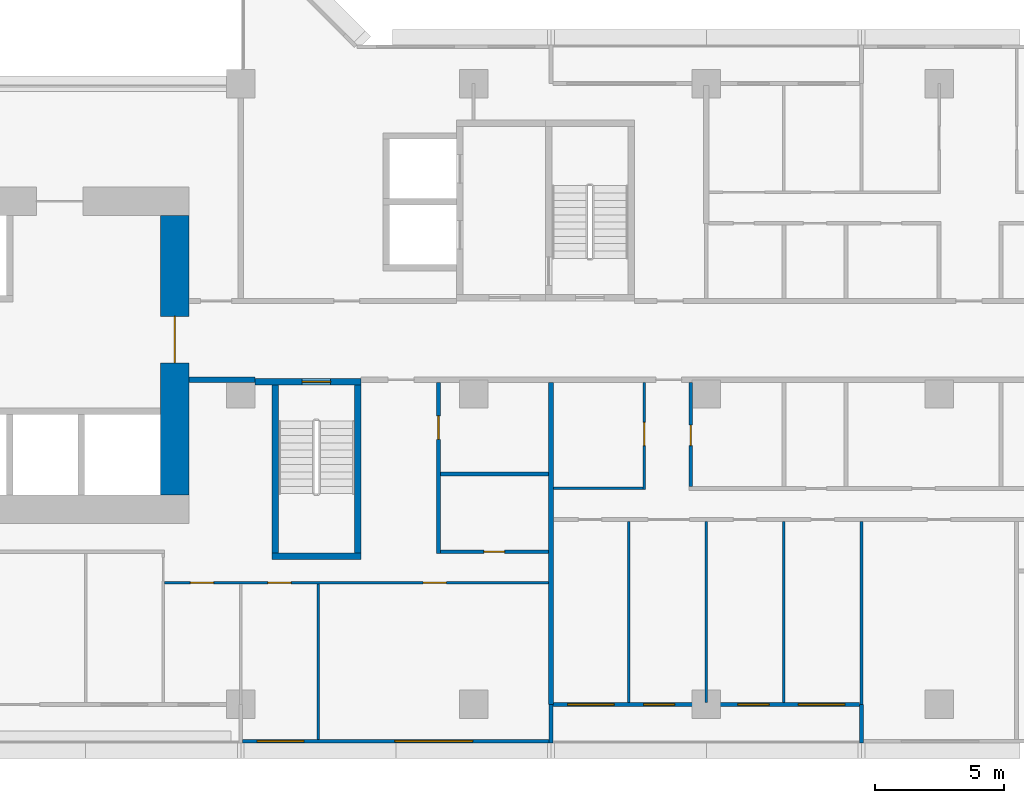
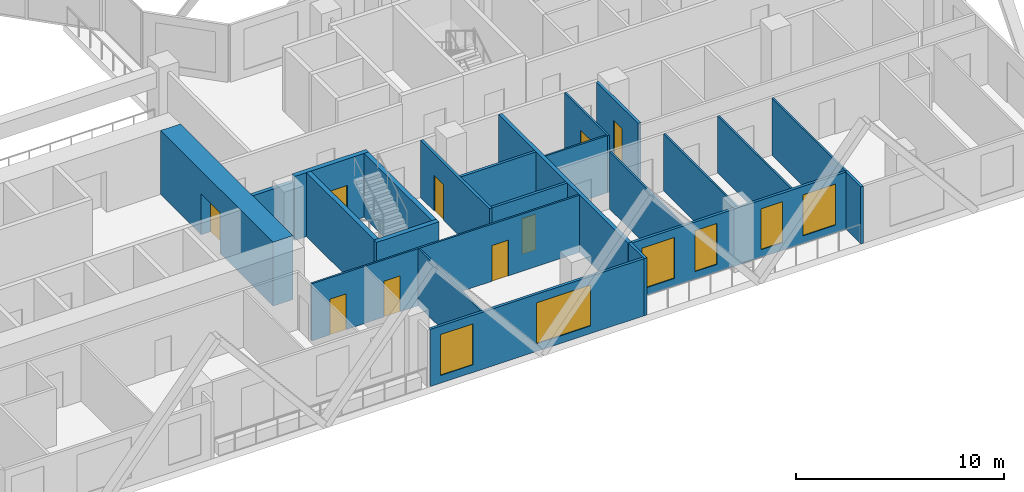
# One storey, part 6 of 16: 23 walls, 9 doors, 6 windows, 15 openings.
"""IFC4 building model written with IfcOpenShell, lengths in metres."""

import ifcopenshell
import ifcopenshell.guid

model = None  # the IFC model being written
_history = None  # IfcOwnerHistory: only IFC2X3 demands one
_inside = {}  # id of a spatial element -> (the spatial element, [elements in it])
_under = {}  # id of a project, library or spatial element -> (it, [spatial elements below it])
_declared = {}  # id of a project -> (the project, [libraries it declares])
_typed = {}  # id of a type object -> (the type object, [elements of that type])
_made_of = {}  # id of a material, layer set ... -> (it, [elements and type objects made of it])


def new_model(schema):
    """Start an empty IFC model of exactly this schema.

    Asked for "IFC4X3", IfcOpenShell would pick the latest addendum, in which some entities
    have other attributes; the version numbers below select the first issue.
    IFC2X3 requires an IfcOwnerHistory on every rooted entity: one is made here for all.
    """
    global model, _history
    if schema == "IFC4X3":
        model = ifcopenshell.file(schema_version=(4, 3, 0, 0))
    else:
        model = ifcopenshell.file(schema=schema)
    _inside.clear()
    _under.clear()
    _declared.clear()
    _typed.clear()
    _made_of.clear()
    _history = None
    if model.schema == "IFC2X3":
        org = make("IfcOrganization", Name="unknown")
        user = make(
            "IfcPersonAndOrganization",
            ThePerson=make("IfcPerson", FamilyName="unknown"),
            TheOrganization=org,
        )
        app = make(
            "IfcApplication",
            ApplicationDeveloper=org,
            Version="unknown",
            ApplicationFullName="unknown",
            ApplicationIdentifier="unknown",
        )
        _history = make(
            "IfcOwnerHistory",
            OwningUser=user,
            OwningApplication=app,
            ChangeAction="ADDED",
            CreationDate=0,
        )
    return model


def make(cls, **values):
    """One entity of the class cls with the attributes given. An attribute that is None is left unset."""
    return model.create_entity(
        cls, **{name: value for name, value in values.items() if value is not None}
    )


def rooted(cls, **values):
    """An entity with a GlobalId (a new one), such as an element, a storey or a relation."""
    return make(cls, GlobalId=ifcopenshell.guid.new(), OwnerHistory=_history, **values)


def si_unit(unit_type, name, prefix=None):
    """IfcSIUnit, for example si_unit("LENGTHUNIT", "METRE", prefix="MILLI")."""
    return make("IfcSIUnit", UnitType=unit_type, Prefix=prefix, Name=name)


def assignment(units):
    """IfcUnitAssignment: the units of a project."""
    return None if units is None else make("IfcUnitAssignment", Units=units)


def point(xyz):
    """IfcCartesianPoint."""
    return None if xyz is None else make("IfcCartesianPoint", Coordinates=xyz)


def direction(xyz):
    """IfcDirection."""
    return None if xyz is None else make("IfcDirection", DirectionRatios=xyz)


def frame(location, z_axis=None, x_axis=None):
    """IfcAxis2Placement3D, a coordinate frame: its origin and axes. An axis left out is left unset."""
    return make(
        "IfcAxis2Placement3D",
        Location=point(location),
        Axis=direction(z_axis),
        RefDirection=direction(x_axis),
    )


def frame_2d(location, x_axis=None):
    """IfcAxis2Placement2D, a coordinate frame in the plane: its origin and x axis."""
    return make(
        "IfcAxis2Placement2D", Location=point(location), RefDirection=direction(x_axis)
    )


def origin():
    """The frame at (0, 0, 0) with its axes left unset."""
    return frame((0.0, 0.0, 0.0))


def place(relative_to, where):
    """IfcLocalPlacement: puts the frame where relative to a parent placement (None: the world)."""
    return make(
        "IfcLocalPlacement", PlacementRelTo=relative_to, RelativePlacement=where
    )


def context(
    kind, dimensions, precision=None, world=None, true_north=None, identifier=None
):
    """IfcGeometricRepresentationContext, for example the 3D "Model" context."""
    return make(
        "IfcGeometricRepresentationContext",
        ContextIdentifier=identifier,
        ContextType=kind,
        CoordinateSpaceDimension=dimensions,
        Precision=precision,
        WorldCoordinateSystem=world,
        TrueNorth=true_north,
    )


def subcontext(parent, identifier, kind, view, scale=None):
    """IfcGeometricRepresentationSubContext, for example "Body" below "Model"."""
    return make(
        "IfcGeometricRepresentationSubContext",
        ContextIdentifier=identifier,
        ContextType=kind,
        ParentContext=parent,
        TargetScale=scale,
        TargetView=view,
    )


def project(units=None, contexts=None):
    """IfcProject with its units and contexts."""
    return rooted(
        "IfcProject",
        Name="project",
        RepresentationContexts=contexts,
        UnitsInContext=assignment(units),
    )


def spatial(cls, under=None, at=None, **own):
    """A site, building, storey or space (cls), placed at a placement, below another one or the project."""
    s = rooted(cls, ObjectPlacement=at, **own)
    if under is not None:
        _under.setdefault(under.id(), (under, []))[1].append(s)
    return s


def profile(cls, at=None, kind="AREA", **sizes):
    """A parametric profile (cls). Its sizes go by their IFC names, for example OverallWidth=200.0."""
    return make(cls, ProfileType=kind, Position=at, **sizes)


def rectangle(**sizes):
    """IfcRectangleProfileDef."""
    return profile("IfcRectangleProfileDef", **sizes)


def extrude(swept, where, along, depth):
    """IfcExtrudedAreaSolid: the profile swept, set in the frame where, extruded along a direction by depth."""
    return make(
        "IfcExtrudedAreaSolid",
        SweptArea=swept,
        Position=where,
        ExtrudedDirection=direction(along),
        Depth=depth,
    )


def shape(context_of_items, identifier, shape_type, items):
    """IfcShapeRepresentation: the items that make up one representation, for example the "Body"."""
    return make(
        "IfcShapeRepresentation",
        ContextOfItems=context_of_items,
        RepresentationIdentifier=identifier,
        RepresentationType=shape_type,
        Items=items,
    )


def material(Name=None, Category=None):
    """IfcMaterial."""
    return make("IfcMaterial", Name=Name, Category=Category)


def layer(
    of_material, thickness, ventilated=None, Name=None, Category=None, Priority=None
):
    """IfcMaterialLayer: one layer of a wall or slab, of a material (None: an air gap)."""
    return make(
        "IfcMaterialLayer",
        Material=of_material,
        LayerThickness=thickness,
        IsVentilated=ventilated,
        Name=Name,
        Category=Category,
        Priority=Priority,
    )


def layer_set(layers, Name=None):
    """IfcMaterialLayerSet."""
    return make("IfcMaterialLayerSet", MaterialLayers=layers, LayerSetName=Name)


def made_of(thing, what):
    """Note that an element or type object is made of a material, layer set ...; save() writes the relation."""
    if what is not None:
        _made_of.setdefault(what.id(), (what, []))[1].append(thing)
    return thing


def type_object(cls, material=None, **own):
    """A type object (cls), such as IfcWallType, which elements share."""
    return made_of(rooted(cls, **own), material)


def element(
    cls,
    number,
    at=None,
    inside=None,
    cuts=None,
    type_object=None,
    material=None,
    context=None,
    identifier="Body",
    shape_type=None,
    held_by="IfcProductDefinitionShape",
    body=None,
    shapes=None,
    **own,
):
    """One element of the class cls, such as IfcWall. Its Tag is "e" and its number.

    at: its placement. inside: the storey or other place that contains it. cuts: it is an
    opening in that element (IfcRelVoidsElement). A single representation is given by context,
    identifier, shape_type and body (its items); several are given by shapes. held_by: the class
    of the entity that holds the representations. save() writes the other relations.
    """
    e = rooted(cls, Tag="e%d" % number, ObjectPlacement=at, **own)
    if body is not None:
        shapes = [shape(context, identifier, shape_type, body)]
    if shapes is not None:
        e.Representation = make(held_by, Representations=shapes)
    if inside is not None:
        _inside.setdefault(inside.id(), (inside, []))[1].append(e)
    if cuts is not None:
        rooted(
            "IfcRelVoidsElement", RelatingBuildingElement=cuts, RelatedOpeningElement=e
        )
    if type_object is not None:
        _typed.setdefault(type_object.id(), (type_object, []))[1].append(e)
    return made_of(e, material)


def fill(opening, filler):
    """IfcRelFillsElement: the door or window that sits in an opening."""
    return rooted(
        "IfcRelFillsElement",
        RelatingOpeningElement=opening,
        RelatedBuildingElement=filler,
    )


def aggregate(whole, parts):
    """IfcRelAggregates: a whole, such as a stair, and the parts it consists of."""
    return rooted("IfcRelAggregates", RelatingObject=whole, RelatedObjects=parts)


def save(model, path):
    """Write the relations noted so far, then the file.

    IfcRelAggregates (storeys below a building ...), IfcRelContainedInSpatialStructure (elements
    in a storey), IfcRelDefinesByType, IfcRelAssociatesMaterial and IfcRelDeclares: one each for
    every whole, place, type object, material and project.
    """
    for whole, parts in _under.values():
        aggregate(whole, parts)
    for where, things in _inside.values():
        rooted(
            "IfcRelContainedInSpatialStructure",
            RelatedElements=things,
            RelatingStructure=where,
        )
    for kind, things in _typed.values():
        rooted("IfcRelDefinesByType", RelatedObjects=things, RelatingType=kind)
    for what, things in _made_of.values():
        rooted("IfcRelAssociatesMaterial", RelatedObjects=things, RelatingMaterial=what)
    for by, libraries in _declared.values():
        rooted("IfcRelDeclares", RelatingContext=by, RelatedDefinitions=libraries)
    model.write(path)


model = new_model("IFC4")

# Units and contexts
model_context = context("Model", 3, precision=1e-05, world=origin(), true_north=direction((0.0, 1.0)))
body_context = subcontext(model_context, "Body", "Model", "MODEL_VIEW")
ifc_project = project(units=[si_unit("LENGTHUNIT", "METRE"), si_unit("AREAUNIT", "SQUARE_METRE"), si_unit("VOLUMEUNIT", "CUBIC_METRE"), si_unit("PLANEANGLEUNIT", "RADIAN"), si_unit("MASSUNIT", "GRAM", prefix="KILO")], contexts=[model_context])

# Site, building, storey
site_placement = place(None, origin())
site = spatial("IfcSite", under=ifc_project, at=site_placement, CompositionType="ELEMENT")
building_placement = place(site_placement, origin())
building = spatial("IfcBuilding", under=site, at=building_placement, Name="Chenar Terraces", CompositionType="ELEMENT")
storey_placement = place(building_placement, frame((0.0, 0.0, 78.89990234375)))
storey = spatial("IfcBuildingStorey", under=building, at=storey_placement, Name="L17", CompositionType="ELEMENT", Elevation=78.89990234375)

# Wall, opening, door
ifc_material_1 = material(Name="Concrete C70/85", Category="concrete")
ifc_layer_1 = layer(ifc_material_1, 1.10009765625)
ifc_layer_set_1 = layer_set([ifc_layer_1], Name="Concrete C70/85")
wall_type_1 = type_object("IfcWallType", Name="Core wall 1100 Concrete C70/85", PredefinedType="SHEAR", material=ifc_layer_set_1)
wall_1_placement = place(storey_placement, frame((33.449951171875, 8.10009765625, 0.0), z_axis=(0.0, 0.0, 1.0), x_axis=(0.0, 1.0, 0.0)))
wall_1 = element("IfcWall", 1, at=wall_1_placement, inside=storey, type_object=wall_type_1, Name="Core wall E L17", PredefinedType="SHEAR", context=body_context, shape_type="SweptSolid", body=[
    extrude(rectangle(XDim=10.7998046875, YDim=1.10009765625, at=frame_2d((5.39990234375, 0.0))), origin(), (0.0, 0.0, 1.0), 3.75),
])
opening_1_placement = place(wall_1_placement, frame((5.10009765625, 0.0, 0.0)))
opening_1 = element("IfcOpeningElement", 2, at=opening_1_placement, cuts=wall_1, Name="Opening DL17-C1", PredefinedType="OPENING", context=body_context, shape_type="SweptSolid", body=[
    extrude(rectangle(XDim=1.800048828125, YDim=2.39990234375, at=frame_2d((0.89990234375, 1.199951171875))), frame((0.0, 0.56005859375, 0.0), z_axis=(0.0, -1.0, 0.0), x_axis=(1.0, 0.0, 0.0)), (0.0, 0.0, 1.0), 1.1201171875),
])
ifc_material_2 = material(Name="Steel-framed fire-resisting door leaf", Category="steel")
door_type_1 = type_object("IfcDoorType", Name="Core entrance double fire door FD60 1800 x 2400", OperationType="DOUBLE_DOOR_SINGLE_SWING", PredefinedType="DOOR", material=ifc_material_2)
door_1_placement = place(opening_1_placement, origin())
door_1 = element("IfcDoor", 3, at=door_1_placement, inside=storey, type_object=door_type_1, Name="Core door DL17-C1", OperationType="DOUBLE_DOOR_SINGLE_SWING", OverallHeight=2.39990234375, OverallWidth=1.800048828125, PredefinedType="DOOR", context=body_context, shape_type="SweptSolid", body=[
    extrude(rectangle(XDim=1.800048828125, YDim=2.39990234375, at=frame_2d((0.89990234375, 1.199951171875))), frame((0.0, 0.02490234375, 0.0), z_axis=(0.0, -1.0, 0.0), x_axis=(1.0, 0.0, 0.0)), (0.0, 0.0, 1.0), 0.050048828125),
])
fill(opening_1, door_1)

# Wall
ifc_material_3 = material(Name="Concrete C70/85", Category="concrete")
ifc_layer_2 = layer(ifc_material_3, 0.25)
ifc_layer_set_2 = layer_set([ifc_layer_2], Name="Concrete C70/85")
wall_type_2 = type_object("IfcWallType", Name="Core wall 250 Concrete C70/85", PredefinedType="SHEAR", material=ifc_layer_set_2)
wall_2_placement = place(storey_placement, frame((37.199951171875, 5.72509765625, 0.0), z_axis=(0.0, 0.0, 1.0), x_axis=(1.0, 0.0, 0.0)))
element("IfcWall", 4, at=wall_2_placement, inside=storey, type_object=wall_type_2, Name="Core wall ST2_S L17", PredefinedType="SHEAR", context=body_context, shape_type="SweptSolid", body=[
    extrude(rectangle(XDim=3.449951171875, YDim=0.25, at=frame_2d((1.72509765625, 0.0))), origin(), (0.0, 0.0, 1.0), 3.75),
])

# Wall, opening, door
wall_3_placement = place(storey_placement, frame((36.550048828125, 12.47509765625, 0.0), z_axis=(0.0, 0.0, 1.0), x_axis=(1.0, 0.0, 0.0)))
wall_3 = element("IfcWall", 5, at=wall_3_placement, inside=storey, type_object=wall_type_2, Name="Core wall ST2_N L17", PredefinedType="SHEAR", context=body_context, shape_type="SweptSolid", body=[
    extrude(rectangle(XDim=4.099853515625, YDim=0.25, at=frame_2d((2.0498046875, 0.0))), origin(), (0.0, 0.0, 1.0), 3.75),
])
opening_2_placement = place(wall_3_placement, frame((1.824951171875, 0.0, 0.0)))
opening_2 = element("IfcOpeningElement", 6, at=opening_2_placement, cuts=wall_3, Name="Opening DL17-C7", PredefinedType="OPENING", context=body_context, shape_type="SweptSolid", body=[
    extrude(rectangle(XDim=1.10009765625, YDim=2.199951171875, at=frame_2d((0.550048828125, 1.10009765625))), frame((0.0, 0.135009765625, 0.0), z_axis=(0.0, -1.0, 0.0), x_axis=(1.0, 0.0, 0.0)), (0.0, 0.0, 1.0), 0.27001953125),
])
ifc_material_4 = material(Name="Steel-framed fire-resisting door leaf", Category="steel")
door_type_2 = type_object("IfcDoorType", Name="Stair fire door FD60 1100 x 2200", OperationType="SINGLE_SWING_LEFT", PredefinedType="DOOR", material=ifc_material_4)
door_2_placement = place(opening_2_placement, frame((1.10009765625, 0.0, 0.0), z_axis=(0.0, 0.0, 1.0), x_axis=(-1.0, 0.0, 0.0)))
door_2 = element("IfcDoor", 7, at=door_2_placement, inside=storey, type_object=door_type_2, Name="Stair door DL17-C7", OperationType="SINGLE_SWING_LEFT", OverallHeight=2.199951171875, OverallWidth=1.10009765625, PredefinedType="DOOR", context=body_context, shape_type="SweptSolid", body=[
    extrude(rectangle(XDim=1.10009765625, YDim=2.199951171875, at=frame_2d((0.550048828125, 1.10009765625))), frame((0.0, 0.02490234375, 0.0), z_axis=(0.0, -1.0, 0.0), x_axis=(1.0, 0.0, 0.0)), (0.0, 0.0, 1.0), 0.050048828125),
])
fill(opening_2, door_2)

# Walls
for number, where, z_axis, x_axis, name in (
    (8, (37.324951171875, 5.85009765625, 0.0), (0.0, 0.0, 1.0), (0.0, 1.0, 0.0), "Core wall ST2_W L17"),
    (9, (40.52490234375, 5.85009765625, 0.0), (0.0, 0.0, 1.0), (0.0, 1.0, 0.0), "Core wall ST2_E L17"),
):
    element("IfcWall", number, at=place(storey_placement, frame(where, z_axis=z_axis, x_axis=x_axis)), inside=storey, type_object=wall_type_2, Name=name, PredefinedType="SHEAR", context=body_context, shape_type="SweptSolid", body=[
        extrude(rectangle(XDim=6.5, YDim=0.25, at=frame_2d((3.25, 0.0))), origin(), (0.0, 0.0, 1.0), 3.75),
    ])
ifc_material_5 = material(Name="Gypsum board on steel studs with fire boards", Category="steel")
ifc_layer_3 = layer(ifc_material_5, 0.199951171875)
ifc_layer_set_3 = layer_set([ifc_layer_3], Name="Gypsum board on steel studs with fire boards")
wall_type_3 = type_object("IfcWallType", Name="Corridor wall 200", PredefinedType="PARTITIONING", material=ifc_layer_set_3)
wall_4_placement = place(storey_placement, frame((34.0, 12.550048828125, 0.0), z_axis=(0.0, 0.0, 1.0), x_axis=(1.0, 0.0, 0.0)))
element("IfcWall", 10, at=wall_4_placement, inside=storey, type_object=wall_type_3, Name="Partition L17-062", PredefinedType="PARTITIONING", context=body_context, shape_type="SweptSolid", body=[
    extrude(rectangle(XDim=2.551025390625, YDim=0.199951171875, at=frame_2d((1.275390625, 0.0))), origin(), (0.0, 0.0, 1.0), 3.35009765625),
])

# Wall, openings, windows
ifc_material_6 = material(Name="Aluminium framed glazing", Category="aluminium")
ifc_layer_4 = layer(ifc_material_6, 0.14990234375)
ifc_layer_set_4 = layer_set([ifc_layer_4], Name="Aluminium framed glazing")
wall_type_4 = type_object("IfcWallType", Name="Glazed flush facade wall 150", PredefinedType="SOLIDWALL", material=ifc_layer_set_4)
wall_5_placement = place(storey_placement, frame((36.074951171875, -1.425048828125, 0.0), z_axis=(0.0, 0.0, 1.0), x_axis=(1.0, 0.0, 0.0)))
wall_5 = element("IfcWall", 11, at=wall_5_placement, inside=storey, type_object=wall_type_4, Name="Glazed flush facade wall", PredefinedType="SOLIDWALL", context=body_context, shape_type="SweptSolid", body=[
    extrude(rectangle(XDim=11.85009765625, YDim=0.14990234375, at=frame_2d((5.925048828125, 0.0))), origin(), (0.0, 0.0, 1.0), 3.35009765625),
])
opening_3_placement = place(wall_5_placement, frame((0.5625, 0.0, 0.449951171875)))
opening_3 = element("IfcOpeningElement", 12, at=opening_3_placement, cuts=wall_5, Name="Opening W180x240", PredefinedType="OPENING", context=body_context, shape_type="SweptSolid", body=[
    extrude(rectangle(XDim=1.800048828125, YDim=2.39990234375, at=frame_2d((0.89990234375, 1.199951171875))), frame((0.0, 0.0849609375, 0.0), z_axis=(0.0, -1.0, 0.0), x_axis=(1.0, 0.0, 0.0)), (0.0, 0.0, 1.0), 0.169921875),
])
opening_4_placement = place(wall_5_placement, frame((5.887451171875, 0.0, 0.449951171875)))
opening_4 = element("IfcOpeningElement", 13, at=opening_4_placement, cuts=wall_5, Name="Opening W300x240", PredefinedType="OPENING", context=body_context, shape_type="SweptSolid", body=[
    extrude(rectangle(XDim=3.0, YDim=2.39990234375, at=frame_2d((1.5, 1.199951171875))), frame((0.0, 0.0849609375, 0.0), z_axis=(0.0, -1.0, 0.0), x_axis=(1.0, 0.0, 0.0)), (0.0, 0.0, 1.0), 0.169921875),
])
ifc_material_7 = material(Name="Low emissivity double glazing, aluminium frame", Category="aluminium")
window_type_1 = type_object("IfcWindowType", Name="Fixed light 1800 x 2400", PartitioningType="SINGLE_PANEL", PredefinedType="WINDOW", material=ifc_material_7)
window_1_placement = place(opening_3_placement, origin())
window_1 = element("IfcWindow", 14, at=window_1_placement, inside=storey, type_object=window_type_1, Name="Window", OverallHeight=2.39990234375, OverallWidth=1.800048828125, PartitioningType="SINGLE_PANEL", PredefinedType="WINDOW", context=body_context, shape_type="SweptSolid", body=[
    extrude(rectangle(XDim=1.800048828125, YDim=2.39990234375, at=frame_2d((0.89990234375, 1.199951171875))), frame((0.0, 0.030029296875, 0.0), z_axis=(0.0, -1.0, 0.0), x_axis=(1.0, 0.0, 0.0)), (0.0, 0.0, 1.0), 0.06005859375),
])
fill(opening_3, window_1)
ifc_material_8 = material(Name="Low emissivity double glazing, aluminium frame", Category="aluminium")
window_type_2 = type_object("IfcWindowType", Name="Fixed light 3000 x 2400", PartitioningType="SINGLE_PANEL", PredefinedType="WINDOW", material=ifc_material_8)
window_2_placement = place(opening_4_placement, origin())
window_2 = element("IfcWindow", 15, at=window_2_placement, inside=storey, type_object=window_type_2, Name="Window", OverallHeight=2.39990234375, OverallWidth=3.0, PartitioningType="SINGLE_PANEL", PredefinedType="WINDOW", context=body_context, shape_type="SweptSolid", body=[
    extrude(rectangle(XDim=3.0, YDim=2.39990234375, at=frame_2d((1.5, 1.199951171875))), frame((0.0, 0.030029296875, 0.0), z_axis=(0.0, -1.0, 0.0), x_axis=(1.0, 0.0, 0.0)), (0.0, 0.0, 1.0), 0.06005859375),
])
fill(opening_4, window_2)

ifc_material_9 = material(Name="Aluminium framed glazing", Category="aluminium")
ifc_layer_5 = layer(ifc_material_9, 0.14990234375)
ifc_layer_set_5 = layer_set([ifc_layer_5], Name="Aluminium framed glazing")
wall_type_5 = type_object("IfcWallType", Name="Glazed loggia back wall 150", PredefinedType="SOLIDWALL", material=ifc_layer_set_5)
wall_6_placement = place(storey_placement, frame((48.074951171875, 0.0, 0.0), z_axis=(0.0, 0.0, 1.0), x_axis=(1.0, 0.0, 0.0)))
wall_6 = element("IfcWall", 16, at=wall_6_placement, inside=storey, type_object=wall_type_5, Name="Glazed loggia back wall", PredefinedType="SOLIDWALL", context=body_context, shape_type="SweptSolid", body=[
    extrude(rectangle(XDim=11.85009765625, YDim=0.14990234375, at=frame_2d((5.925048828125, 0.0))), origin(), (0.0, 0.0, 1.0), 3.35009765625),
])
opening_5_placement = place(wall_6_placement, frame((0.5625, 0.0, 0.449951171875)))
opening_5 = element("IfcOpeningElement", 17, at=opening_5_placement, cuts=wall_6, Name="Opening W180x240", PredefinedType="OPENING", context=body_context, shape_type="SweptSolid", body=[
    extrude(rectangle(XDim=1.800048828125, YDim=2.39990234375, at=frame_2d((0.89990234375, 1.199951171875))), frame((0.0, 0.0849609375, 0.0), z_axis=(0.0, -1.0, 0.0), x_axis=(1.0, 0.0, 0.0)), (0.0, 0.0, 1.0), 0.169921875),
])
opening_6_placement = place(wall_6_placement, frame((3.5, 0.0, 0.449951171875)))
opening_6 = element("IfcOpeningElement", 18, at=opening_6_placement, cuts=wall_6, Name="Opening W120x240", PredefinedType="OPENING", context=body_context, shape_type="SweptSolid", body=[
    extrude(rectangle(XDim=1.199951171875, YDim=2.39990234375, at=frame_2d((0.60009765625, 1.199951171875))), frame((0.0, 0.0849609375, 0.0), z_axis=(0.0, -1.0, 0.0), x_axis=(1.0, 0.0, 0.0)), (0.0, 0.0, 1.0), 0.169921875),
])
opening_7_placement = place(wall_6_placement, frame((7.14990234375, 0.0, 0.449951171875)))
opening_7 = element("IfcOpeningElement", 19, at=opening_7_placement, cuts=wall_6, Name="Opening W120x240", PredefinedType="OPENING", context=body_context, shape_type="SweptSolid", body=[
    extrude(rectangle(XDim=1.199951171875, YDim=2.39990234375, at=frame_2d((0.60009765625, 1.199951171875))), frame((0.0, 0.0849609375, 0.0), z_axis=(0.0, -1.0, 0.0), x_axis=(1.0, 0.0, 0.0)), (0.0, 0.0, 1.0), 0.169921875),
])
opening_8_placement = place(wall_6_placement, frame((9.487548828125, 0.0, 0.449951171875)))
opening_8 = element("IfcOpeningElement", 20, at=opening_8_placement, cuts=wall_6, Name="Opening W180x240", PredefinedType="OPENING", context=body_context, shape_type="SweptSolid", body=[
    extrude(rectangle(XDim=1.800048828125, YDim=2.39990234375, at=frame_2d((0.89990234375, 1.199951171875))), frame((0.0, 0.0849609375, 0.0), z_axis=(0.0, -1.0, 0.0), x_axis=(1.0, 0.0, 0.0)), (0.0, 0.0, 1.0), 0.169921875),
])
ifc_material_10 = material(Name="Low emissivity double glazing, aluminium frame", Category="aluminium")
window_type_3 = type_object("IfcWindowType", Name="Fixed light 1200 x 2400", PartitioningType="SINGLE_PANEL", PredefinedType="WINDOW", material=ifc_material_10)
window_3_placement = place(opening_6_placement, origin())
window_3 = element("IfcWindow", 21, at=window_3_placement, inside=storey, type_object=window_type_3, Name="Window", OverallHeight=2.39990234375, OverallWidth=1.199951171875, PartitioningType="SINGLE_PANEL", PredefinedType="WINDOW", context=body_context, shape_type="SweptSolid", body=[
    extrude(rectangle(XDim=1.199951171875, YDim=2.39990234375, at=frame_2d((0.60009765625, 1.199951171875))), frame((0.0, 0.030029296875, 0.0), z_axis=(0.0, -1.0, 0.0), x_axis=(1.0, 0.0, 0.0)), (0.0, 0.0, 1.0), 0.06005859375),
])
fill(opening_6, window_3)
window_4_placement = place(opening_7_placement, origin())
window_4 = element("IfcWindow", 22, at=window_4_placement, inside=storey, type_object=window_type_3, Name="Window", OverallHeight=2.39990234375, OverallWidth=1.199951171875, PartitioningType="SINGLE_PANEL", PredefinedType="WINDOW", context=body_context, shape_type="SweptSolid", body=[
    extrude(rectangle(XDim=1.199951171875, YDim=2.39990234375, at=frame_2d((0.60009765625, 1.199951171875))), frame((0.0, 0.030029296875, 0.0), z_axis=(0.0, -1.0, 0.0), x_axis=(1.0, 0.0, 0.0)), (0.0, 0.0, 1.0), 0.06005859375),
])
fill(opening_7, window_4)
window_5_placement = place(opening_5_placement, origin())
window_5 = element("IfcWindow", 23, at=window_5_placement, inside=storey, type_object=window_type_1, Name="Window", OverallHeight=2.39990234375, OverallWidth=1.800048828125, PartitioningType="SINGLE_PANEL", PredefinedType="WINDOW", context=body_context, shape_type="SweptSolid", body=[
    extrude(rectangle(XDim=1.800048828125, YDim=2.39990234375, at=frame_2d((0.89990234375, 1.199951171875))), frame((0.0, 0.030029296875, 0.0), z_axis=(0.0, -1.0, 0.0), x_axis=(1.0, 0.0, 0.0)), (0.0, 0.0, 1.0), 0.06005859375),
])
fill(opening_5, window_5)
window_6_placement = place(opening_8_placement, origin())
window_6 = element("IfcWindow", 24, at=window_6_placement, inside=storey, type_object=window_type_1, Name="Window", OverallHeight=2.39990234375, OverallWidth=1.800048828125, PartitioningType="SINGLE_PANEL", PredefinedType="WINDOW", context=body_context, shape_type="SweptSolid", body=[
    extrude(rectangle(XDim=1.800048828125, YDim=2.39990234375, at=frame_2d((0.89990234375, 1.199951171875))), frame((0.0, 0.030029296875, 0.0), z_axis=(0.0, -1.0, 0.0), x_axis=(1.0, 0.0, 0.0)), (0.0, 0.0, 1.0), 0.06005859375),
])
fill(opening_8, window_6)

# Wall, openings, doors
ifc_material_11 = material(Name="Gypsum board on steel studs", Category="steel")
ifc_layer_6 = layer(ifc_material_11, 0.10009765625)
ifc_layer_set_6 = layer_set([ifc_layer_6], Name="Gypsum board on steel studs")
wall_type_6 = type_object("IfcWallType", Name="Gypsum partition 100", PredefinedType="PARTITIONING", material=ifc_layer_set_6)
wall_7_placement = place(storey_placement, frame((33.050048828125, 4.699951171875, 0.0), z_axis=(0.0, 0.0, 1.0), x_axis=(1.0, 0.0, 0.0)))
wall_7 = element("IfcWall", 25, at=wall_7_placement, inside=storey, type_object=wall_type_6, Name="Partition L17-061", PredefinedType="PARTITIONING", context=body_context, shape_type="SweptSolid", body=[
    extrude(rectangle(XDim=14.849853515625, YDim=0.10009765625, at=frame_2d((7.4248046875, 0.0))), origin(), (0.0, 0.0, 1.0), 3.35009765625),
])
opening_9_placement = place(wall_7_placement, frame((1.0, 0.0, 0.0)))
opening_9 = element("IfcOpeningElement", 26, at=opening_9_placement, cuts=wall_7, Name="Opening DL17-60", PredefinedType="OPENING", context=body_context, shape_type="SweptSolid", body=[
    extrude(rectangle(XDim=0.89990234375, YDim=2.10009765625, at=frame_2d((0.449951171875, 1.050048828125))), frame((0.0, 0.06005859375, 0.0), z_axis=(0.0, -1.0, 0.0), x_axis=(1.0, 0.0, 0.0)), (0.0, 0.0, 1.0), 0.1201171875),
])
opening_10_placement = place(wall_7_placement, frame((4.0, 0.0, 0.0)))
opening_10 = element("IfcOpeningElement", 27, at=opening_10_placement, cuts=wall_7, Name="Opening DL17-61", PredefinedType="OPENING", context=body_context, shape_type="SweptSolid", body=[
    extrude(rectangle(XDim=0.89990234375, YDim=2.10009765625, at=frame_2d((0.449951171875, 1.050048828125))), frame((0.0, 0.06005859375, 0.0), z_axis=(0.0, -1.0, 0.0), x_axis=(1.0, 0.0, 0.0)), (0.0, 0.0, 1.0), 0.1201171875),
])
opening_11_placement = place(wall_7_placement, frame((10.0, 0.0, 0.0)))
opening_11 = element("IfcOpeningElement", 28, at=opening_11_placement, cuts=wall_7, Name="Opening DL17-69", PredefinedType="OPENING", context=body_context, shape_type="SweptSolid", body=[
    extrude(rectangle(XDim=0.89990234375, YDim=2.10009765625, at=frame_2d((0.449951171875, 1.050048828125))), frame((0.0, 0.06005859375, 0.0), z_axis=(0.0, -1.0, 0.0), x_axis=(1.0, 0.0, 0.0)), (0.0, 0.0, 1.0), 0.1201171875),
])
ifc_material_12 = material(Name="Veneered timber door leaf", Category="wood")
door_type_3 = type_object("IfcDoorType", Name="Door 900 x 2100", OperationType="SINGLE_SWING_LEFT", PredefinedType="DOOR", material=ifc_material_12)
door_3_placement = place(opening_9_placement, frame((0.89990234375, 0.0, 0.0), z_axis=(0.0, 0.0, 1.0), x_axis=(-1.0, 0.0, 0.0)))
door_3 = element("IfcDoor", 29, at=door_3_placement, inside=storey, type_object=door_type_3, Name="Door DL17-60", OperationType="SINGLE_SWING_LEFT", OverallHeight=2.10009765625, OverallWidth=0.89990234375, PredefinedType="DOOR", context=body_context, shape_type="SweptSolid", body=[
    extrude(rectangle(XDim=0.89990234375, YDim=2.10009765625, at=frame_2d((0.449951171875, 1.050048828125))), frame((0.0, 0.02490234375, 0.0), z_axis=(0.0, -1.0, 0.0), x_axis=(1.0, 0.0, 0.0)), (0.0, 0.0, 1.0), 0.050048828125),
])
fill(opening_9, door_3)
door_4_placement = place(opening_10_placement, frame((0.89990234375, 0.0, 0.0), z_axis=(0.0, 0.0, 1.0), x_axis=(-1.0, 0.0, 0.0)))
door_4 = element("IfcDoor", 30, at=door_4_placement, inside=storey, type_object=door_type_3, Name="Door DL17-61", OperationType="SINGLE_SWING_LEFT", OverallHeight=2.10009765625, OverallWidth=0.89990234375, PredefinedType="DOOR", context=body_context, shape_type="SweptSolid", body=[
    extrude(rectangle(XDim=0.89990234375, YDim=2.10009765625, at=frame_2d((0.449951171875, 1.050048828125))), frame((0.0, 0.02490234375, 0.0), z_axis=(0.0, -1.0, 0.0), x_axis=(1.0, 0.0, 0.0)), (0.0, 0.0, 1.0), 0.050048828125),
])
fill(opening_10, door_4)
door_5_placement = place(opening_11_placement, frame((0.89990234375, 0.0, 0.0), z_axis=(0.0, 0.0, 1.0), x_axis=(-1.0, 0.0, 0.0)))
door_5 = element("IfcDoor", 31, at=door_5_placement, inside=storey, type_object=door_type_3, Name="Door DL17-69", OperationType="SINGLE_SWING_LEFT", OverallHeight=2.10009765625, OverallWidth=0.89990234375, PredefinedType="DOOR", context=body_context, shape_type="SweptSolid", body=[
    extrude(rectangle(XDim=0.89990234375, YDim=2.10009765625, at=frame_2d((0.449951171875, 1.050048828125))), frame((0.0, 0.02490234375, 0.0), z_axis=(0.0, -1.0, 0.0), x_axis=(1.0, 0.0, 0.0)), (0.0, 0.0, 1.0), 0.050048828125),
])
fill(opening_11, door_5)

# Walls
wall_8_placement = place(storey_placement, frame((39.0, -1.35009765625, 0.0), z_axis=(0.0, 0.0, 1.0), x_axis=(0.0, 1.0, 0.0)))
element("IfcWall", 32, at=wall_8_placement, inside=storey, type_object=wall_type_6, Name="Partition L17-066", PredefinedType="PARTITIONING", context=body_context, shape_type="SweptSolid", body=[
    extrude(rectangle(XDim=6.0, YDim=0.10009765625, at=frame_2d((3.0, 0.0))), origin(), (0.0, 0.0, 1.0), 3.35009765625),
])
wall_9_placement = place(storey_placement, frame((48.10009765625, 8.35009765625, 0.0), z_axis=(0.0, 0.0, 1.0), x_axis=(1.0, 0.0, 0.0)))
element("IfcWall", 33, at=wall_9_placement, inside=storey, type_object=wall_type_6, Name="Partition L17-074", PredefinedType="PARTITIONING", context=body_context, shape_type="SweptSolid", body=[
    extrude(rectangle(XDim=3.449951171875, YDim=0.10009765625, at=frame_2d((1.72509765625, 0.0))), origin(), (0.0, 0.0, 1.0), 3.35009765625),
])
wall_10_placement = place(storey_placement, frame((51.0, 0.073974609375, 0.0), z_axis=(0.0, 0.0, 1.0), x_axis=(0.0, 1.0, 0.0)))
element("IfcWall", 34, at=wall_10_placement, inside=storey, type_object=wall_type_6, Name="Partition L17-075", PredefinedType="PARTITIONING", context=body_context, shape_type="SweptSolid", body=[
    extrude(rectangle(XDim=7.0009765625, YDim=0.10009765625, at=frame_2d((3.50048828125, 0.0))), origin(), (0.0, 0.0, 1.0), 3.35009765625),
])

# Wall, opening, door
wall_11_placement = place(storey_placement, frame((51.60009765625, 8.300048828125, 0.0), z_axis=(0.0, 0.0, 1.0), x_axis=(0.0, 1.0, 0.0)))
wall_11 = element("IfcWall", 35, at=wall_11_placement, inside=storey, type_object=wall_type_6, Name="Partition L17-077", PredefinedType="PARTITIONING", context=body_context, shape_type="SweptSolid", body=[
    extrude(rectangle(XDim=4.14990234375, YDim=0.10009765625, at=frame_2d((2.074951171875, 0.0))), origin(), (0.0, 0.0, 1.0), 3.35009765625),
])
opening_12_placement = place(wall_11_placement, frame((1.699951171875, 0.0, 0.0)))
opening_12 = element("IfcOpeningElement", 36, at=opening_12_placement, cuts=wall_11, Name="Opening DL17-19", PredefinedType="OPENING", context=body_context, shape_type="SweptSolid", body=[
    extrude(rectangle(XDim=0.89990234375, YDim=2.10009765625, at=frame_2d((0.449951171875, 1.050048828125))), frame((0.0, 0.06005859375, 0.0), z_axis=(0.0, -1.0, 0.0), x_axis=(1.0, 0.0, 0.0)), (0.0, 0.0, 1.0), 0.1201171875),
])
door_6_placement = place(opening_12_placement, origin())
door_6 = element("IfcDoor", 37, at=door_6_placement, inside=storey, type_object=door_type_3, Name="Door DL17-19", OperationType="SINGLE_SWING_LEFT", OverallHeight=2.10009765625, OverallWidth=0.89990234375, PredefinedType="DOOR", context=body_context, shape_type="SweptSolid", body=[
    extrude(rectangle(XDim=0.89990234375, YDim=2.10009765625, at=frame_2d((0.449951171875, 1.050048828125))), frame((0.0, 0.02490234375, 0.0), z_axis=(0.0, -1.0, 0.0), x_axis=(1.0, 0.0, 0.0)), (0.0, 0.0, 1.0), 0.050048828125),
])
fill(opening_12, door_6)

# Walls
for number, where, z_axis, x_axis, name in (
    (38, (54.0, 0.073974609375, 0.0), (0.0, 0.0, 1.0), (0.0, 1.0, 0.0), "Partition L17-080"),
    (39, (57.0, 0.073974609375, 0.0), (0.0, 0.0, 1.0), (0.0, 1.0, 0.0), "Partition L17-085"),
):
    element("IfcWall", number, at=place(storey_placement, frame(where, z_axis=z_axis, x_axis=x_axis)), inside=storey, type_object=wall_type_6, Name=name, PredefinedType="PARTITIONING", context=body_context, shape_type="SweptSolid", body=[
        extrude(rectangle(XDim=7.0009765625, YDim=0.10009765625, at=frame_2d((3.50048828125, 0.0))), origin(), (0.0, 0.0, 1.0), 3.35009765625),
    ])
wall_12_placement = place(storey_placement, frame((60.0, 0.0, 0.0), z_axis=(0.0, 0.0, 1.0), x_axis=(0.0, 1.0, 0.0)))
element("IfcWall", 40, at=wall_12_placement, inside=storey, type_object=wall_type_6, Name="Partition L17-091", PredefinedType="PARTITIONING", context=body_context, shape_type="SweptSolid", body=[
    extrude(rectangle(XDim=7.074951171875, YDim=0.10009765625, at=frame_2d((3.53759765625, 0.0))), origin(), (0.0, 0.0, 1.0), 3.35009765625),
])
ifc_material_13 = material(Name="Terracotta cladding on insulated backing", Category="masonry")
ifc_layer_7 = layer(ifc_material_13, 0.14990234375)
ifc_layer_set_7 = layer_set([ifc_layer_7], Name="Terracotta cladding on insulated backing")
wall_type_7 = type_object("IfcWallType", Name="Loggia return wall 150", PredefinedType="SOLIDWALL", material=ifc_layer_set_7)
for number, where, z_axis, x_axis, name in (
    (41, (48.0, -1.5, 0.0), (0.0, 0.0, 1.0), (0.0, 1.0, 0.0), "Loggia return wall"),
    (42, (60.0, -1.5, 0.0), (0.0, 0.0, 1.0), (0.0, 1.0, 0.0), "Loggia return wall"),
):
    element("IfcWall", number, at=place(storey_placement, frame(where, z_axis=z_axis, x_axis=x_axis)), inside=storey, type_object=wall_type_7, Name=name, PredefinedType="SOLIDWALL", context=body_context, shape_type="SweptSolid", body=[
        extrude(rectangle(XDim=1.5, YDim=0.14990234375, at=frame_2d((0.75, 0.0))), origin(), (0.0, 0.0, 1.0), 3.35009765625),
    ])
ifc_material_14 = material(Name="Twin gypsum board on steel studs with mineral wool", Category="steel")
ifc_layer_8 = layer(ifc_material_14, 0.199951171875)
ifc_layer_set_8 = layer_set([ifc_layer_8], Name="Twin gypsum board on steel studs with mineral wool")
wall_type_8 = type_object("IfcWallType", Name="Unit demising wall 200", PredefinedType="PARTITIONING", material=ifc_layer_set_8)
wall_13_placement = place(storey_placement, frame((48.0, 0.0, 0.0), z_axis=(0.0, 0.0, 1.0), x_axis=(0.0, 1.0, 0.0)))
element("IfcWall", 43, at=wall_13_placement, inside=storey, type_object=wall_type_8, Name="Partition L17-072", PredefinedType="PARTITIONING", context=body_context, shape_type="SweptSolid", body=[
    extrude(rectangle(XDim=12.449951171875, YDim=0.199951171875, at=frame_2d((6.22509765625, 0.0))), origin(), (0.0, 0.0, 1.0), 3.35009765625),
])

# Wall, opening, door
ifc_material_15 = material(Name="Moisture-resistant gypsum board on steel studs", Category="steel")
ifc_layer_9 = layer(ifc_material_15, 0.14990234375)
ifc_layer_set_9 = layer_set([ifc_layer_9], Name="Moisture-resistant gypsum board on steel studs")
wall_type_9 = type_object("IfcWallType", Name="Wet-room partition 150", PredefinedType="PARTITIONING", material=ifc_layer_set_9)
wall_14_placement = place(storey_placement, frame((43.64990234375, 5.824951171875, 0.0), z_axis=(0.0, 0.0, 1.0), x_axis=(0.0, 1.0, 0.0)))
wall_14 = element("IfcWall", 44, at=wall_14_placement, inside=storey, type_object=wall_type_9, Name="Partition L17-068", PredefinedType="PARTITIONING", context=body_context, shape_type="SweptSolid", body=[
    extrude(rectangle(XDim=6.625, YDim=0.14990234375, at=frame_2d((3.3125, 0.0))), origin(), (0.0, 0.0, 1.0), 3.35009765625),
])
opening_13_placement = place(wall_14_placement, frame((4.425048828125, 0.0, 0.0)))
opening_13 = element("IfcOpeningElement", 45, at=opening_13_placement, cuts=wall_14, Name="Opening DL17-67", PredefinedType="OPENING", context=body_context, shape_type="SweptSolid", body=[
    extrude(rectangle(XDim=0.89990234375, YDim=2.10009765625, at=frame_2d((0.449951171875, 1.050048828125))), frame((0.0, 0.0849609375, 0.0), z_axis=(0.0, -1.0, 0.0), x_axis=(1.0, 0.0, 0.0)), (0.0, 0.0, 1.0), 0.169921875),
])
door_7_placement = place(opening_13_placement, frame((0.89990234375, 0.0, 0.0), z_axis=(0.0, 0.0, 1.0), x_axis=(-1.0, 0.0, 0.0)))
door_7 = element("IfcDoor", 46, at=door_7_placement, inside=storey, type_object=door_type_3, Name="Door DL17-67", OperationType="SINGLE_SWING_LEFT", OverallHeight=2.10009765625, OverallWidth=0.89990234375, PredefinedType="DOOR", context=body_context, shape_type="SweptSolid", body=[
    extrude(rectangle(XDim=0.89990234375, YDim=2.10009765625, at=frame_2d((0.449951171875, 1.050048828125))), frame((0.0, 0.02490234375, 0.0), z_axis=(0.0, -1.0, 0.0), x_axis=(1.0, 0.0, 0.0)), (0.0, 0.0, 1.0), 0.050048828125),
])
fill(opening_13, door_7)

wall_15_placement = place(storey_placement, frame((43.72509765625, 5.89990234375, 0.0), z_axis=(0.0, 0.0, 1.0), x_axis=(1.0, 0.0, 0.0)))
wall_15 = element("IfcWall", 47, at=wall_15_placement, inside=storey, type_object=wall_type_9, Name="Partition L17-069", PredefinedType="PARTITIONING", context=body_context, shape_type="SweptSolid", body=[
    extrude(rectangle(XDim=4.1748046875, YDim=0.14990234375, at=frame_2d((2.08740234375, 0.0))), origin(), (0.0, 0.0, 1.0), 3.35009765625),
])
opening_14_placement = place(wall_15_placement, frame((1.675048828125, 0.0, 0.0)))
opening_14 = element("IfcOpeningElement", 48, at=opening_14_placement, cuts=wall_15, Name="Opening DL17-57", PredefinedType="OPENING", context=body_context, shape_type="SweptSolid", body=[
    extrude(rectangle(XDim=0.800048828125, YDim=2.10009765625, at=frame_2d((0.39990234375, 1.050048828125))), frame((0.0, 0.0849609375, 0.0), z_axis=(0.0, -1.0, 0.0), x_axis=(1.0, 0.0, 0.0)), (0.0, 0.0, 1.0), 0.169921875),
])
ifc_material_16 = material(Name="Veneered timber door leaf", Category="wood")
door_type_4 = type_object("IfcDoorType", Name="Door 800 x 2100", OperationType="SINGLE_SWING_LEFT", PredefinedType="DOOR", material=ifc_material_16)
door_8_placement = place(opening_14_placement, origin())
door_8 = element("IfcDoor", 49, at=door_8_placement, inside=storey, type_object=door_type_4, Name="Door DL17-57", OperationType="SINGLE_SWING_LEFT", OverallHeight=2.10009765625, OverallWidth=0.800048828125, PredefinedType="DOOR", context=body_context, shape_type="SweptSolid", body=[
    extrude(rectangle(XDim=0.800048828125, YDim=2.10009765625, at=frame_2d((0.39990234375, 1.050048828125))), frame((0.0, 0.02490234375, 0.0), z_axis=(0.0, -1.0, 0.0), x_axis=(1.0, 0.0, 0.0)), (0.0, 0.0, 1.0), 0.050048828125),
])
fill(opening_14, door_8)

# Wall
wall_16_placement = place(storey_placement, frame((43.72509765625, 8.89990234375, 0.0), z_axis=(0.0, 0.0, 1.0), x_axis=(1.0, 0.0, 0.0)))
element("IfcWall", 50, at=wall_16_placement, inside=storey, type_object=wall_type_9, Name="Partition L17-070", PredefinedType="PARTITIONING", context=body_context, shape_type="SweptSolid", body=[
    extrude(rectangle(XDim=4.1748046875, YDim=0.14990234375, at=frame_2d((2.08740234375, 0.0))), origin(), (0.0, 0.0, 1.0), 3.35009765625),
])

# Wall, opening, door
wall_17_placement = place(storey_placement, frame((53.39990234375, 8.425048828125, 0.0), z_axis=(0.0, 0.0, 1.0), x_axis=(0.0, 1.0, 0.0)))
wall_17 = element("IfcWall", 51, at=wall_17_placement, inside=storey, type_object=wall_type_9, Name="Partition L17-079", PredefinedType="PARTITIONING", context=body_context, shape_type="SweptSolid", body=[
    extrude(rectangle(XDim=4.02490234375, YDim=0.14990234375, at=frame_2d((2.012451171875, 0.0))), origin(), (0.0, 0.0, 1.0), 3.35009765625),
])
opening_15_placement = place(wall_17_placement, frame((1.574951171875, 0.0, 0.0)))
opening_15 = element("IfcOpeningElement", 52, at=opening_15_placement, cuts=wall_17, Name="Opening DL17-29", PredefinedType="OPENING", context=body_context, shape_type="SweptSolid", body=[
    extrude(rectangle(XDim=0.800048828125, YDim=2.10009765625, at=frame_2d((0.39990234375, 1.050048828125))), frame((0.0, 0.0849609375, 0.0), z_axis=(0.0, -1.0, 0.0), x_axis=(1.0, 0.0, 0.0)), (0.0, 0.0, 1.0), 0.169921875),
])
door_9_placement = place(opening_15_placement, frame((0.800048828125, 0.0, 0.0), z_axis=(0.0, 0.0, 1.0), x_axis=(-1.0, 0.0, 0.0)))
door_9 = element("IfcDoor", 53, at=door_9_placement, inside=storey, type_object=door_type_4, Name="Door DL17-29", OperationType="SINGLE_SWING_LEFT", OverallHeight=2.10009765625, OverallWidth=0.800048828125, PredefinedType="DOOR", context=body_context, shape_type="SweptSolid", body=[
    extrude(rectangle(XDim=0.800048828125, YDim=2.10009765625, at=frame_2d((0.39990234375, 1.050048828125))), frame((0.0, 0.02490234375, 0.0), z_axis=(0.0, -1.0, 0.0), x_axis=(1.0, 0.0, 0.0)), (0.0, 0.0, 1.0), 0.050048828125),
])
fill(opening_15, door_9)

save(model, "model.ifc")
